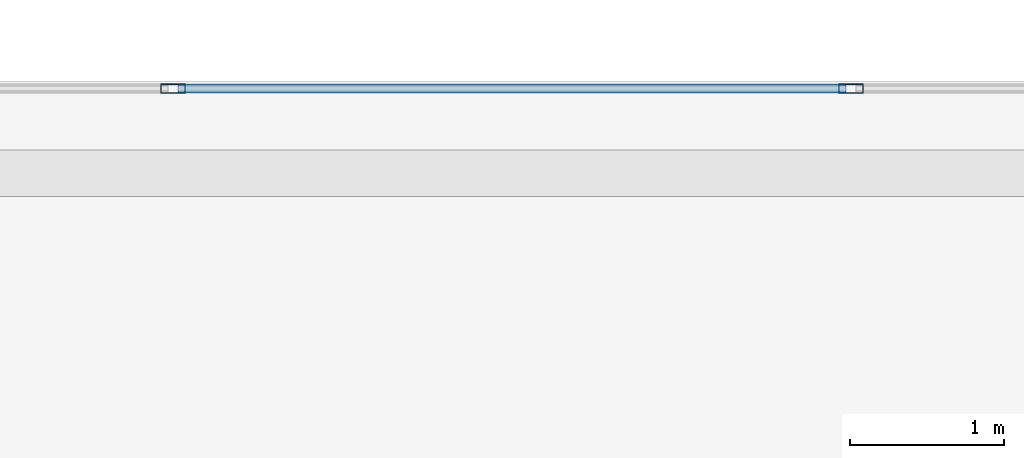
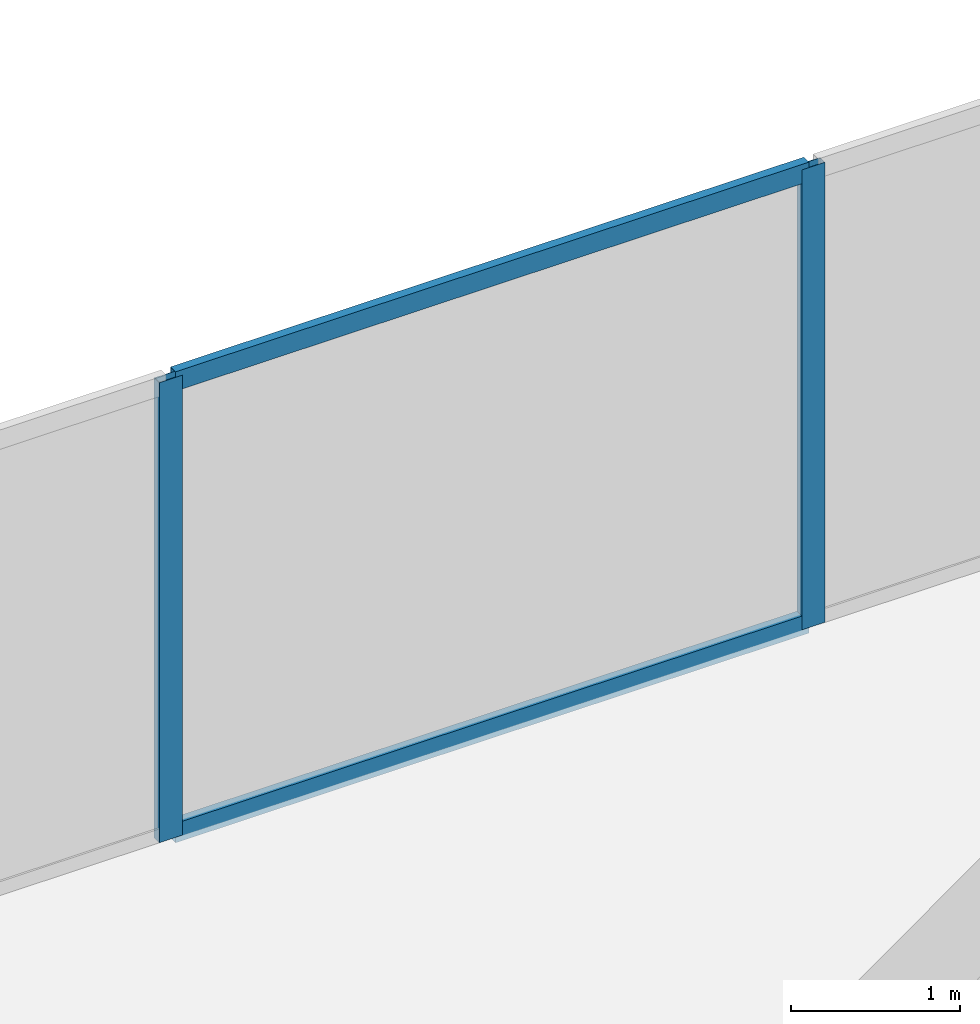
# One storey, part 22 of 32: 4 members, 1 element without a shape of its own.
"""IFC4 building model written with IfcOpenShell, lengths in metres."""

from ifc_helpers import new_model, si_unit, direction, frame, origin, origin_2d, place, context, subcontext, project, spatial, hollow_rectangle, extrude, material, layer, layer_set, material_profile, profile_set, type_object, element, aggregate, save


model = new_model("IFC4")

# Units and contexts
model_context = context("Model", 3, precision=1e-05, world=origin(), true_north=direction((0.0, 1.0)))
body_context = subcontext(model_context, "Body", "Model", "MODEL_VIEW")
ifc_project = project(units=[si_unit("LENGTHUNIT", "METRE"), si_unit("AREAUNIT", "SQUARE_METRE"), si_unit("VOLUMEUNIT", "CUBIC_METRE"), si_unit("PLANEANGLEUNIT", "RADIAN"), si_unit("MASSUNIT", "GRAM", prefix="KILO")], contexts=[model_context])

# Site, building, storey
site_placement = place(None, origin())
site = spatial("IfcSite", under=ifc_project, at=site_placement, CompositionType="ELEMENT")
building_placement = place(site_placement, origin())
building = spatial("IfcBuilding", under=site, at=building_placement, Name="Catumbela Crestline Tower", CompositionType="ELEMENT")
storey_placement = place(building_placement, frame((0.0, 0.0, 122.4)))
storey = spatial("IfcBuildingStorey", under=building, at=storey_placement, Name="L31", CompositionType="ELEMENT", Elevation=122.4)

# Curtain wall, members
ifc_material = material(Name="Aluminium alloy AW-6060-T66", Category="aluminium")
ifc_layer = layer(ifc_material, 0.18, Name="Aluminium alloy AW-6060-T66")
ifc_layer_set = layer_set([ifc_layer], Name="Aluminium alloy AW-6060-T66")
curtain_wall_type = type_object("IfcCurtainWallType", Name="CWU-Z2", PredefinedType="USERDEFINED", material=ifc_layer_set)
curtain_wall_placement = place(storey_placement, origin())
curtain_wall = element("IfcCurtainWall", 1, at=curtain_wall_placement, inside=storey, type_object=curtain_wall_type, Name="L31 Unitised Curtain Wall CW-L31-E7S1", ObjectType="UNITISED", PredefinedType="USERDEFINED")
ifc_material_profile_1 = material_profile(ifc_material, hollow_rectangle(XDim=0.06, YDim=0.16, WallThickness=0.004, at=origin_2d()), Name="ALU 160x60x4")
ifc_profile_set_1 = profile_set([ifc_material_profile_1], Name="Aluminium alloy AW-6060-T66")
member_type_1 = type_object("IfcMemberType", Name="MUL-160X60", PredefinedType="MULLION", material=ifc_profile_set_1)
member_1_placement = place(storey_placement, frame((29.9, 47.95, 0.0), z_axis=(0.0, 0.0, 1.0), x_axis=(0.0, -1.0, 0.0)))
member_1 = element("IfcMember", 2, at=member_1_placement, type_object=member_type_1, Name="CWU-Z2 mullion 5", PredefinedType="MULLION", context=body_context, shape_type="SweptSolid", body=[
    extrude(hollow_rectangle(XDim=0.06, YDim=0.16, WallThickness=0.004, at=origin_2d()), origin(), (0.0, 0.0, 1.0), 3.33),
])
member_2_placement = place(storey_placement, frame((25.5, 47.95, 0.0), z_axis=(0.0, 0.0, 1.0), x_axis=(0.0, -1.0, 0.0)))
member_2 = element("IfcMember", 3, at=member_2_placement, type_object=member_type_1, Name="CWU-Z2 mullion 6", PredefinedType="MULLION", context=body_context, shape_type="SweptSolid", body=[
    extrude(hollow_rectangle(XDim=0.06, YDim=0.16, WallThickness=0.004, at=origin_2d()), origin(), (0.0, 0.0, 1.0), 3.33),
])
ifc_material_profile_2 = material_profile(ifc_material, hollow_rectangle(XDim=0.06, YDim=0.14, WallThickness=0.004, at=origin_2d()), Name="ALU 140x60x4")
ifc_profile_set_2 = profile_set([ifc_material_profile_2], Name="Aluminium alloy AW-6060-T66")
member_type_2 = type_object("IfcMemberType", Name="TRN-140X60", PredefinedType="USERDEFINED", material=ifc_profile_set_2)
member_3_placement = place(storey_placement, frame((29.8675, 47.95, 0.03), z_axis=(-1.0, 0.0, 0.0), x_axis=(0.0, -1.0, 0.0)))
member_3 = element("IfcMember", 4, at=member_3_placement, type_object=member_type_2, Name="CWU-Z2 transom 5.1", ObjectType="TRANSOM", PredefinedType="USERDEFINED", context=body_context, shape_type="SweptSolid", body=[
    extrude(hollow_rectangle(XDim=0.06, YDim=0.14, WallThickness=0.004, at=origin_2d()), origin(), (0.0, 0.0, 1.0), 4.335),
])
member_4_placement = place(storey_placement, frame((29.8675, 47.95, 3.3), z_axis=(-1.0, 0.0, 0.0), x_axis=(0.0, -1.0, 0.0)))
member_4 = element("IfcMember", 5, at=member_4_placement, type_object=member_type_2, Name="CWU-Z2 transom 5.2", ObjectType="TRANSOM", PredefinedType="USERDEFINED", context=body_context, shape_type="SweptSolid", body=[
    extrude(hollow_rectangle(XDim=0.06, YDim=0.14, WallThickness=0.004, at=origin_2d()), origin(), (0.0, 0.0, 1.0), 4.335),
])
aggregate(curtain_wall, [member_1, member_2, member_3, member_4])

save(model, "model.ifc")
